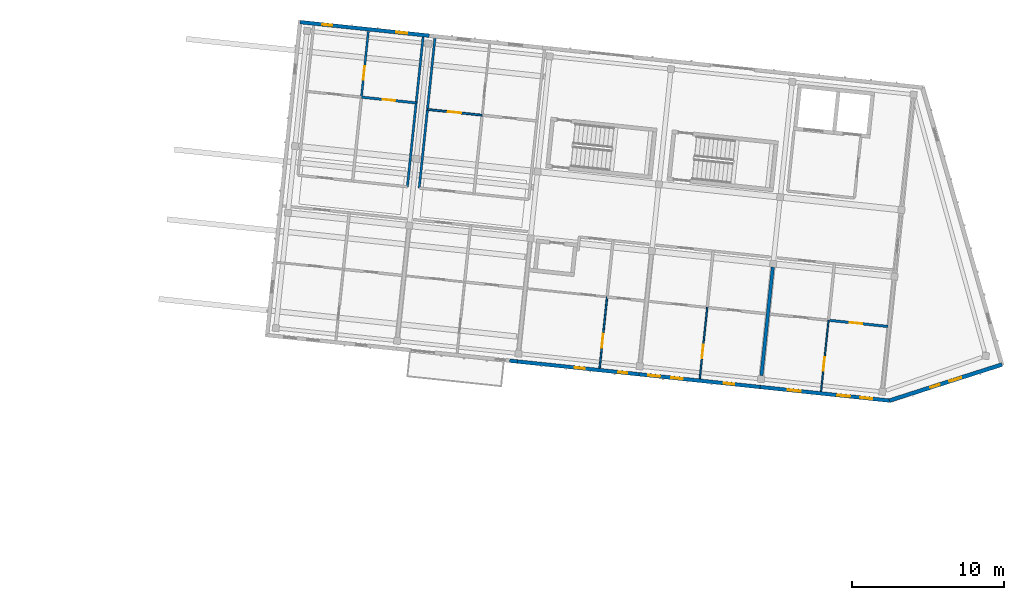
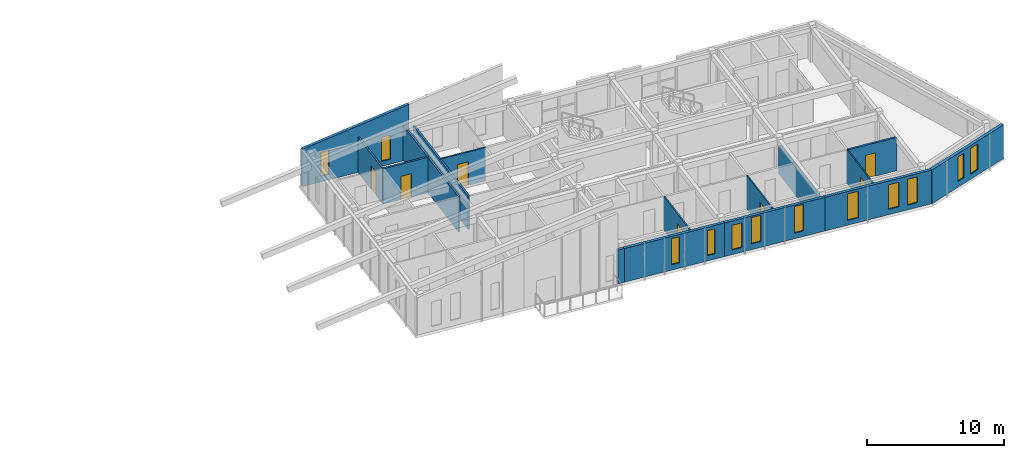
# One storey, part 17 of 34: 16 walls, 12 windows, 7 doors, 19 openings.
"""IFC4 building model written with IfcOpenShell, lengths in metres."""

from ifc_helpers import new_model, si_unit, direction, frame, frame_2d, origin, place, context, subcontext, project, spatial, polyline, rectangle, outline, extrude, material, layer, layer_set, type_object, element, fill, save


model = new_model("IFC4")

# Units and contexts
model_context = context("Model", 3, precision=1e-05, world=origin(), true_north=direction((0.0, 1.0)))
body_context = subcontext(model_context, "Body", "Model", "MODEL_VIEW")
ifc_project = project(units=[si_unit("LENGTHUNIT", "METRE"), si_unit("AREAUNIT", "SQUARE_METRE"), si_unit("VOLUMEUNIT", "CUBIC_METRE"), si_unit("PLANEANGLEUNIT", "RADIAN"), si_unit("MASSUNIT", "GRAM", prefix="KILO")], contexts=[model_context])

# Site, building, storey
site_placement = place(None, origin())
site = spatial("IfcSite", under=ifc_project, at=site_placement, CompositionType="ELEMENT")
building_placement = place(site_placement, origin())
building = spatial("IfcBuilding", under=site, at=building_placement, Name="Kestramere Prow Commons", CompositionType="ELEMENT")
storey_placement = place(building_placement, frame((0.0, 0.0, 34.39990234375)))
storey = spatial("IfcBuildingStorey", under=building, at=storey_placement, Name="L10", CompositionType="ELEMENT", Elevation=34.39990234375)

# Wall, openings, windows
ifc_material_1 = material(Name="Weathered Zinc-Titanium Standing-Seam Cladding")
ifc_layer_1 = layer(ifc_material_1, 0.260009765625)
ifc_layer_set_1 = layer_set([ifc_layer_1], Name="Weathered Zinc-Titanium Standing-Seam Cladding")
wall_type_1 = type_object("IfcWallType", Name="EW-PROW-260", PredefinedType="SOLIDWALL", material=ifc_layer_set_1)
wall_1_placement = place(storey_placement, frame((165.587158203125, 91.57177734375, 0.0), z_axis=(0.0, 0.0, 1.0), x_axis=(-0.9522851043, -0.305209895201, 0.0)))
wall_1 = element("IfcWall", 1, at=wall_1_placement, inside=storey, type_object=wall_type_1, Name="Block B L10 PRW-S Facet Wall", PredefinedType="SOLIDWALL", context=body_context, shape_type="SweptSolid", body=[
    extrude(rectangle(XDim=7.752685546875, YDim=0.260009765625, at=frame_2d((3.87646484375, 0.0))), origin(), (0.0, 0.0, 1.0), 3.0),
])
opening_1_placement = place(wall_1_placement, frame((2.81005859375, 0.0, 0.449951171875)))
opening_1 = element("IfcOpeningElement", 2, at=opening_1_placement, cuts=wall_1, Name="Opening WN-12", PredefinedType="OPENING", context=body_context, shape_type="SweptSolid", body=[
    extrude(rectangle(XDim=0.800048828125, YDim=2.300048828125, at=frame_2d((0.39990234375, 1.14990234375))), frame((0.0, 0.14501953125, 0.0), z_axis=(0.0, -1.0, 0.0), x_axis=(1.0, 0.0, 0.0)), (0.0, 0.0, 1.0), 0.2900390625),
])
opening_2_placement = place(wall_1_placement, frame((4.302734375, 0.0, 0.52001953125)))
opening_2 = element("IfcOpeningElement", 3, at=opening_2_placement, cuts=wall_1, Name="Opening WN-04", PredefinedType="OPENING", context=body_context, shape_type="SweptSolid", body=[
    extrude(rectangle(XDim=0.639892578125, YDim=2.179931640625, at=frame_2d((0.31982421875, 1.08984375))), frame((0.0, 0.14501953125, 0.0), z_axis=(0.0, -1.0, 0.0), x_axis=(1.0, 0.0, 0.0)), (0.0, 0.0, 1.0), 0.2900390625),
])
ifc_material_2 = material(Name="Low-E Laminated Double Glazing", Category="glass")
window_type_1 = type_object("IfcWindowType", Name="WN-NAR-640A", PartitioningType="SINGLE_PANEL", PredefinedType="WINDOW", material=ifc_material_2)
window_1_placement = place(opening_2_placement, origin())
window_1 = element("IfcWindow", 4, at=window_1_placement, inside=storey, type_object=window_type_1, Name="WN-B-L10-PRW-S-1", OverallHeight=2.179931640625, OverallWidth=0.639892578125, PartitioningType="SINGLE_PANEL", PredefinedType="WINDOW", context=body_context, shape_type="SweptSolid", body=[
    extrude(rectangle(XDim=0.639892578125, YDim=2.179931640625, at=frame_2d((0.31982421875, 1.08984375))), frame((0.0, 0.030029296875, 0.0), z_axis=(0.0, -1.0, 0.0), x_axis=(1.0, 0.0, 0.0)), (0.0, 0.0, 1.0), 0.06005859375),
])
fill(opening_2, window_1)
window_type_2 = type_object("IfcWindowType", Name="WN-NAR-800A", PartitioningType="SINGLE_PANEL", PredefinedType="WINDOW", material=ifc_material_2)
window_2_placement = place(opening_1_placement, origin())
window_2 = element("IfcWindow", 5, at=window_2_placement, inside=storey, type_object=window_type_2, Name="WN-B-L10-PRW-S-0", OverallHeight=2.300048828125, OverallWidth=0.800048828125, PartitioningType="SINGLE_PANEL", PredefinedType="WINDOW", context=body_context, shape_type="SweptSolid", body=[
    extrude(rectangle(XDim=0.800048828125, YDim=2.300048828125, at=frame_2d((0.39990234375, 1.14990234375))), frame((0.0, 0.030029296875, 0.0), z_axis=(0.0, -1.0, 0.0), x_axis=(1.0, 0.0, 0.0)), (0.0, 0.0, 1.0), 0.06005859375),
])
fill(opening_1, window_2)

# Wall
ifc_material_3 = material(Name="Fluoropolymer Standing-Seam Zinc-Aluminium Cladding", Category="aluminium")
ifc_layer_2 = layer(ifc_material_3, 0.239990234375)
ifc_layer_set_2 = layer_set([ifc_layer_2], Name="Fluoropolymer Standing-Seam Zinc-Aluminium Cladding")
wall_type_2 = type_object("IfcWallType", Name="EW-SEAM-240", PredefinedType="SOLIDWALL", material=ifc_layer_set_2)
wall_2_placement = place(storey_placement, frame((133.813720703125, 91.769287109375, 0.0), z_axis=(0.0, 0.0, 1.0), x_axis=(-0.994561361015, 0.10415228839, 0.0)))
element("IfcWall", 6, at=wall_2_placement, inside=storey, type_object=wall_type_2, Name="Block B L10 South Step-Back Spandrel Wall 3", PredefinedType="SOLIDWALL", context=body_context, shape_type="SweptSolid", body=[
    extrude(rectangle(XDim=0.525146484375, YDim=0.239990234375, at=frame_2d((0.2626953125, 0.0))), origin(), (0.0, 0.0, 1.0), 3.0),
])

# Wall, openings, windows
wall_3_placement = place(storey_placement, frame((141.769775390625, 90.932861328125, 0.0), z_axis=(0.0, 0.0, 1.0), x_axis=(-0.994519156568, 0.104554517933, 0.0)))
wall_3 = element("IfcWall", 7, at=wall_3_placement, inside=storey, type_object=wall_type_2, Name="Block B L10 South Standing-Seam Wall 4", PredefinedType="SOLIDWALL", context=body_context, shape_type="SweptSolid", body=[
    extrude(rectangle(XDim=8.0, YDim=0.239990234375, at=frame_2d((4.0, 0.0))), origin(), (0.0, 0.0, 1.0), 3.0),
])
opening_3_placement = place(wall_3_placement, frame((0.760009765625, 0.0, 0.47998046875)))
opening_3 = element("IfcOpeningElement", 8, at=opening_3_placement, cuts=wall_3, Name="Opening WN-02", PredefinedType="OPENING", context=body_context, shape_type="SweptSolid", body=[
    extrude(rectangle(XDim=0.60009765625, YDim=2.219970703125, at=frame_2d((0.300048828125, 1.10986328125))), frame((0.0, 0.135009765625, 0.0), z_axis=(0.0, -1.0, 0.0), x_axis=(1.0, 0.0, 0.0)), (0.0, 0.0, 1.0), 0.27001953125),
])
opening_4_placement = place(wall_3_placement, frame((3.585205078125, 0.0, 0.47998046875)))
opening_4 = element("IfcOpeningElement", 9, at=opening_4_placement, cuts=wall_3, Name="Opening WN-05", PredefinedType="OPENING", context=body_context, shape_type="SweptSolid", body=[
    extrude(rectangle(XDim=0.659912109375, YDim=2.320068359375, at=frame_2d((0.330078125, 1.16015625))), frame((0.0, 0.135009765625, 0.0), z_axis=(0.0, -1.0, 0.0), x_axis=(1.0, 0.0, 0.0)), (0.0, 0.0, 1.0), 0.27001953125),
])
window_type_3 = type_object("IfcWindowType", Name="WN-NAR-600A", PartitioningType="SINGLE_PANEL", PredefinedType="WINDOW", material=ifc_material_2)
window_3_placement = place(opening_3_placement, origin())
window_3 = element("IfcWindow", 10, at=window_3_placement, inside=storey, type_object=window_type_3, Name="WN-B-L10-S-3-00", OverallHeight=2.219970703125, OverallWidth=0.60009765625, PartitioningType="SINGLE_PANEL", PredefinedType="WINDOW", context=body_context, shape_type="SweptSolid", body=[
    extrude(rectangle(XDim=0.60009765625, YDim=2.219970703125, at=frame_2d((0.300048828125, 1.10986328125))), frame((0.0, 0.030029296875, 0.0), z_axis=(0.0, -1.0, 0.0), x_axis=(1.0, 0.0, 0.0)), (0.0, 0.0, 1.0), 0.06005859375),
])
fill(opening_3, window_3)
window_type_4 = type_object("IfcWindowType", Name="WN-NAR-660A", PartitioningType="SINGLE_PANEL", PredefinedType="WINDOW", material=ifc_material_2)
window_4_placement = place(opening_4_placement, origin())
window_4 = element("IfcWindow", 11, at=window_4_placement, inside=storey, type_object=window_type_4, Name="WN-B-L10-S-3-10", OverallHeight=2.320068359375, OverallWidth=0.659912109375, PartitioningType="SINGLE_PANEL", PredefinedType="WINDOW", context=body_context, shape_type="SweptSolid", body=[
    extrude(rectangle(XDim=0.659912109375, YDim=2.320068359375, at=frame_2d((0.330078125, 1.16015625))), frame((0.0, 0.030029296875, 0.0), z_axis=(0.0, -1.0, 0.0), x_axis=(1.0, 0.0, 0.0)), (0.0, 0.0, 1.0), 0.06005859375),
])
fill(opening_4, window_4)

wall_4_placement = place(storey_placement, frame((149.72607421875, 90.0966796875, 0.0), z_axis=(0.0, 0.0, 1.0), x_axis=(-0.994522662826, 0.104521161134, 0.0)))
wall_4 = element("IfcWall", 12, at=wall_4_placement, inside=storey, type_object=wall_type_2, Name="Block B L10 South Standing-Seam Wall 5", PredefinedType="SOLIDWALL", context=body_context, shape_type="SweptSolid", body=[
    extrude(rectangle(XDim=8.0, YDim=0.239990234375, at=frame_2d((4.0, 0.0))), origin(), (0.0, 0.0, 1.0), 3.0),
])
opening_5_placement = place(wall_4_placement, frame((1.712890625, 0.0, 0.5)))
opening_5 = element("IfcOpeningElement", 13, at=opening_5_placement, cuts=wall_4, Name="Opening WN-07", PredefinedType="OPENING", context=body_context, shape_type="SweptSolid", body=[
    extrude(rectangle(XDim=0.699951171875, YDim=2.360107421875, at=frame_2d((0.35009765625, 1.18017578125))), frame((0.0, 0.135009765625, 0.0), z_axis=(0.0, -1.0, 0.0), x_axis=(1.0, 0.0, 0.0)), (0.0, 0.0, 1.0), 0.27001953125),
])
opening_6_placement = place(wall_4_placement, frame((5.10009765625, 0.0, 0.52001953125)))
opening_6 = element("IfcOpeningElement", 14, at=opening_6_placement, cuts=wall_4, Name="Opening WN-10", PredefinedType="OPENING", context=body_context, shape_type="SweptSolid", body=[
    extrude(rectangle(XDim=0.760009765625, YDim=2.340087890625, at=frame_2d((0.3798828125, 1.169921875))), frame((0.0, 0.135009765625, 0.0), z_axis=(0.0, -1.0, 0.0), x_axis=(1.0, 0.0, 0.0)), (0.0, 0.0, 1.0), 0.27001953125),
])
opening_7_placement = place(wall_4_placement, frame((6.610107421875, 0.0, 0.419921875)))
opening_7 = element("IfcOpeningElement", 15, at=opening_7_placement, cuts=wall_4, Name="Opening WN-11", PredefinedType="OPENING", context=body_context, shape_type="SweptSolid", body=[
    extrude(rectangle(XDim=0.780029296875, YDim=2.199951171875, at=frame_2d((0.39013671875, 1.10009765625))), frame((0.0, 0.135009765625, 0.0), z_axis=(0.0, -1.0, 0.0), x_axis=(1.0, 0.0, 0.0)), (0.0, 0.0, 1.0), 0.27001953125),
])
window_type_5 = type_object("IfcWindowType", Name="WN-NAR-700A", PartitioningType="SINGLE_PANEL", PredefinedType="WINDOW", material=ifc_material_2)
window_5_placement = place(opening_5_placement, origin())
window_5 = element("IfcWindow", 16, at=window_5_placement, inside=storey, type_object=window_type_5, Name="WN-B-L10-S-4-00", OverallHeight=2.360107421875, OverallWidth=0.699951171875, PartitioningType="SINGLE_PANEL", PredefinedType="WINDOW", context=body_context, shape_type="SweptSolid", body=[
    extrude(rectangle(XDim=0.699951171875, YDim=2.360107421875, at=frame_2d((0.35009765625, 1.18017578125))), frame((0.0, 0.030029296875, 0.0), z_axis=(0.0, -1.0, 0.0), x_axis=(1.0, 0.0, 0.0)), (0.0, 0.0, 1.0), 0.06005859375),
])
fill(opening_5, window_5)
window_type_6 = type_object("IfcWindowType", Name="WN-NAR-760A", PartitioningType="SINGLE_PANEL", PredefinedType="WINDOW", material=ifc_material_2)
window_6_placement = place(opening_6_placement, origin())
window_6 = element("IfcWindow", 17, at=window_6_placement, inside=storey, type_object=window_type_6, Name="WN-B-L10-S-4-10", OverallHeight=2.340087890625, OverallWidth=0.760009765625, PartitioningType="SINGLE_PANEL", PredefinedType="WINDOW", context=body_context, shape_type="SweptSolid", body=[
    extrude(rectangle(XDim=0.760009765625, YDim=2.340087890625, at=frame_2d((0.3798828125, 1.169921875))), frame((0.0, 0.030029296875, 0.0), z_axis=(0.0, -1.0, 0.0), x_axis=(1.0, 0.0, 0.0)), (0.0, 0.0, 1.0), 0.06005859375),
])
fill(opening_6, window_6)
window_type_7 = type_object("IfcWindowType", Name="WN-NAR-780A", PartitioningType="SINGLE_PANEL", PredefinedType="WINDOW", material=ifc_material_2)
window_7_placement = place(opening_7_placement, origin())
window_7 = element("IfcWindow", 18, at=window_7_placement, inside=storey, type_object=window_type_7, Name="WN-B-L10-S-4-11", OverallHeight=2.199951171875, OverallWidth=0.780029296875, PartitioningType="SINGLE_PANEL", PredefinedType="WINDOW", context=body_context, shape_type="SweptSolid", body=[
    extrude(rectangle(XDim=0.780029296875, YDim=2.199951171875, at=frame_2d((0.39013671875, 1.10009765625))), frame((0.0, 0.030029296875, 0.0), z_axis=(0.0, -1.0, 0.0), x_axis=(1.0, 0.0, 0.0)), (0.0, 0.0, 1.0), 0.06005859375),
])
fill(opening_7, window_7)

wall_5_placement = place(storey_placement, frame((158.204345703125, 89.20556640625, 0.0), z_axis=(0.0, 0.0, 1.0), x_axis=(-0.994521760736, 0.104529744196, 0.0)))
wall_5 = element("IfcWall", 19, at=wall_5_placement, inside=storey, type_object=wall_type_2, Name="Block B L10 South Standing-Seam Wall 6", PredefinedType="SOLIDWALL", context=body_context, shape_type="SweptSolid", body=[
    extrude(rectangle(XDim=8.52490234375, YDim=0.239990234375, at=frame_2d((4.262451171875, 0.0))), origin(), (0.0, 0.0, 1.0), 3.0),
])
opening_8_placement = place(wall_5_placement, frame((1.135009765625, 0.0, 0.419921875)))
opening_8 = element("IfcOpeningElement", 20, at=opening_8_placement, cuts=wall_5, Name="Opening WN-12", PredefinedType="OPENING", context=body_context, shape_type="SweptSolid", body=[
    extrude(rectangle(XDim=0.800048828125, YDim=2.300048828125, at=frame_2d((0.39990234375, 1.14990234375))), frame((0.0, 0.135009765625, 0.0), z_axis=(0.0, -1.0, 0.0), x_axis=(1.0, 0.0, 0.0)), (0.0, 0.0, 1.0), 0.27001953125),
])
opening_9_placement = place(wall_5_placement, frame((2.60498046875, 0.0, 0.47998046875)))
opening_9 = element("IfcOpeningElement", 21, at=opening_9_placement, cuts=wall_5, Name="Opening WN-13", PredefinedType="OPENING", context=body_context, shape_type="SweptSolid", body=[
    extrude(rectangle(XDim=0.820068359375, YDim=2.179931640625, at=frame_2d((0.41015625, 1.08984375))), frame((0.0, 0.135009765625, 0.0), z_axis=(0.0, -1.0, 0.0), x_axis=(1.0, 0.0, 0.0)), (0.0, 0.0, 1.0), 0.27001953125),
])
opening_10_placement = place(wall_5_placement, frame((5.843994140625, 0.0, 0.419921875)))
opening_10 = element("IfcOpeningElement", 22, at=opening_10_placement, cuts=wall_5, Name="Opening WN-15", PredefinedType="OPENING", context=body_context, shape_type="SweptSolid", body=[
    extrude(rectangle(XDim=0.860107421875, YDim=2.360107421875, at=frame_2d((0.43017578125, 1.18017578125))), frame((0.0, 0.135009765625, 0.0), z_axis=(0.0, -1.0, 0.0), x_axis=(1.0, 0.0, 0.0)), (0.0, 0.0, 1.0), 0.27001953125),
])
window_8_placement = place(opening_8_placement, origin())
window_8 = element("IfcWindow", 23, at=window_8_placement, inside=storey, type_object=window_type_2, Name="WN-B-L10-S-5-00", OverallHeight=2.300048828125, OverallWidth=0.800048828125, PartitioningType="SINGLE_PANEL", PredefinedType="WINDOW", context=body_context, shape_type="SweptSolid", body=[
    extrude(rectangle(XDim=0.800048828125, YDim=2.300048828125, at=frame_2d((0.39990234375, 1.14990234375))), frame((0.0, 0.030029296875, 0.0), z_axis=(0.0, -1.0, 0.0), x_axis=(1.0, 0.0, 0.0)), (0.0, 0.0, 1.0), 0.06005859375),
])
fill(opening_8, window_8)
window_type_8 = type_object("IfcWindowType", Name="WN-NAR-820A", PartitioningType="DOUBLE_PANEL_VERTICAL", PredefinedType="WINDOW", material=ifc_material_2)
window_9_placement = place(opening_9_placement, origin())
window_9 = element("IfcWindow", 24, at=window_9_placement, inside=storey, type_object=window_type_8, Name="WN-B-L10-S-5-01", OverallHeight=2.179931640625, OverallWidth=0.820068359375, PartitioningType="SINGLE_PANEL", PredefinedType="WINDOW", context=body_context, shape_type="SweptSolid", body=[
    extrude(rectangle(XDim=0.820068359375, YDim=2.179931640625, at=frame_2d((0.41015625, 1.08984375))), frame((0.0, 0.030029296875, 0.0), z_axis=(0.0, -1.0, 0.0), x_axis=(1.0, 0.0, 0.0)), (0.0, 0.0, 1.0), 0.06005859375),
])
fill(opening_9, window_9)
window_type_9 = type_object("IfcWindowType", Name="WN-NAR-860A", PartitioningType="DOUBLE_PANEL_VERTICAL", PredefinedType="WINDOW", material=ifc_material_2)
window_10_placement = place(opening_10_placement, origin())
window_10 = element("IfcWindow", 25, at=window_10_placement, inside=storey, type_object=window_type_9, Name="WN-B-L10-S-5-10", OverallHeight=2.360107421875, OverallWidth=0.860107421875, PartitioningType="SINGLE_PANEL", PredefinedType="WINDOW", context=body_context, shape_type="SweptSolid", body=[
    extrude(rectangle(XDim=0.860107421875, YDim=2.360107421875, at=frame_2d((0.43017578125, 1.18017578125))), frame((0.0, 0.030029296875, 0.0), z_axis=(0.0, -1.0, 0.0), x_axis=(1.0, 0.0, 0.0)), (0.0, 0.0, 1.0), 0.06005859375),
])
fill(opening_10, window_10)

wall_6_placement = place(storey_placement, frame((119.53759765625, 114.033447265625, 0.0), z_axis=(0.0, 0.0, 1.0), x_axis=(0.994521760736, -0.104529744196, 0.0)))
wall_6 = element("IfcWall", 26, at=wall_6_placement, inside=storey, type_object=wall_type_2, Name="Block B L10 North Standing-Seam Wall 2", PredefinedType="SOLIDWALL", context=body_context, shape_type="SweptSolid", body=[
    extrude(outline(polyline([(0.0, 0.0), (8.52490234375, 0.0), (8.52490234375, 4.900634765625), (0.0, 3.31884765625), (0.0, 0.0)])), frame((0.0, 0.1201171875, 0.0), z_axis=(0.0, -1.0, 0.0), x_axis=(1.0, 0.0, 0.0)), (0.0, 0.0, 1.0), 0.239990234375),
])
opening_11_placement = place(wall_6_placement, frame((1.485107421875, 0.0, 0.5)))
opening_11 = element("IfcOpeningElement", 27, at=opening_11_placement, cuts=wall_6, Name="Opening WN-04", PredefinedType="OPENING", context=body_context, shape_type="SweptSolid", body=[
    extrude(rectangle(XDim=0.639892578125, YDim=2.179931640625, at=frame_2d((0.31982421875, 1.08984375))), frame((0.0, 0.135009765625, 0.0), z_axis=(0.0, -1.0, 0.0), x_axis=(1.0, 0.0, 0.0)), (0.0, 0.0, 1.0), 0.27001953125),
])
opening_12_placement = place(wall_6_placement, frame((6.344970703125, 0.0, 0.43994140625)))
opening_12 = element("IfcOpeningElement", 28, at=opening_12_placement, cuts=wall_6, Name="Opening WN-08", PredefinedType="OPENING", context=body_context, shape_type="SweptSolid", body=[
    extrude(rectangle(XDim=0.719970703125, YDim=2.159912109375, at=frame_2d((0.35986328125, 1.080078125))), frame((0.0, 0.135009765625, 0.0), z_axis=(0.0, -1.0, 0.0), x_axis=(1.0, 0.0, 0.0)), (0.0, 0.0, 1.0), 0.27001953125),
])
window_11_placement = place(opening_11_placement, origin())
window_11 = element("IfcWindow", 29, at=window_11_placement, inside=storey, type_object=window_type_1, Name="WN-B-L10-N-1-0", OverallHeight=2.179931640625, OverallWidth=0.639892578125, PartitioningType="SINGLE_PANEL", PredefinedType="WINDOW", context=body_context, shape_type="SweptSolid", body=[
    extrude(rectangle(XDim=0.639892578125, YDim=2.179931640625, at=frame_2d((0.31982421875, 1.08984375))), frame((0.0, 0.030029296875, 0.0), z_axis=(0.0, -1.0, 0.0), x_axis=(1.0, 0.0, 0.0)), (0.0, 0.0, 1.0), 0.06005859375),
])
fill(opening_11, window_11)
window_type_10 = type_object("IfcWindowType", Name="WN-NAR-720A", PartitioningType="SINGLE_PANEL", PredefinedType="WINDOW", material=ifc_material_2)
window_12_placement = place(opening_12_placement, origin())
window_12 = element("IfcWindow", 30, at=window_12_placement, inside=storey, type_object=window_type_10, Name="WN-B-L10-N-1-1", OverallHeight=2.159912109375, OverallWidth=0.719970703125, PartitioningType="SINGLE_PANEL", PredefinedType="WINDOW", context=body_context, shape_type="SweptSolid", body=[
    extrude(rectangle(XDim=0.719970703125, YDim=2.159912109375, at=frame_2d((0.35986328125, 1.080078125))), frame((0.0, 0.030029296875, 0.0), z_axis=(0.0, -1.0, 0.0), x_axis=(1.0, 0.0, 0.0)), (0.0, 0.0, 1.0), 0.06005859375),
])
fill(opening_12, window_12)

# Wall, opening, door
ifc_material_4 = material(Name="Gypsum Acoustic Drywall")
ifc_layer_3 = layer(ifc_material_4, 0.10009765625)
ifc_layer_set_3 = layer_set([ifc_layer_3], Name="Gypsum Acoustic Drywall")
wall_type_3 = type_object("IfcWallType", Name="W-PART-100", PredefinedType="PARTITIONING", material=ifc_layer_set_3)
wall_7_placement = place(storey_placement, frame((145.761962890625, 90.649169921875, 0.0), z_axis=(0.0, 0.0, 1.0), x_axis=(0.104527618124, 0.994521984196, 0.0)))
wall_7 = element("IfcWall", 31, at=wall_7_placement, inside=storey, type_object=wall_type_3, Name="Interior Partition PW-B-L10-LB-S4", PredefinedType="PARTITIONING", context=body_context, shape_type="SweptSolid", body=[
    extrude(rectangle(XDim=4.68994140625, YDim=0.10009765625, at=frame_2d((2.344970703125, 0.0))), origin(), (0.0, 0.0, 1.0), 2.97021484375),
])
opening_13_placement = place(wall_7_placement, frame((1.35009765625, 0.0, 0.0)))
opening_13 = element("IfcOpeningElement", 32, at=opening_13_placement, cuts=wall_7, Name="Opening ID-10", PredefinedType="OPENING", context=body_context, shape_type="SweptSolid", body=[
    extrude(rectangle(XDim=0.8798828125, YDim=2.10009765625, at=frame_2d((0.43994140625, 1.050048828125))), frame((0.0, 0.06494140625, 0.0), z_axis=(0.0, -1.0, 0.0), x_axis=(1.0, 0.0, 0.0)), (0.0, 0.0, 1.0), 0.130126953125),
])
ifc_material_5 = material(Name="Engineered Timber Bedroom Door", Category="wood")
door_type_1 = type_object("IfcDoorType", Name="D-RM-03", OperationType="NOTDEFINED", PredefinedType="DOOR", material=ifc_material_5)
door_1_placement = place(opening_13_placement, origin())
door_1 = element("IfcDoor", 33, at=door_1_placement, inside=storey, type_object=door_type_1, Name="Interior Door DR-B-L10-BED-S4", OperationType="SINGLE_SWING_LEFT", OverallHeight=2.10009765625, OverallWidth=0.8798828125, PredefinedType="DOOR", context=body_context, shape_type="SweptSolid", body=[
    extrude(rectangle(XDim=0.8798828125, YDim=2.10009765625, at=frame_2d((0.43994140625, 1.050048828125))), frame((0.0, 0.02490234375, 0.0), z_axis=(0.0, -1.0, 0.0), x_axis=(1.0, 0.0, 0.0)), (0.0, 0.0, 1.0), 0.050048828125),
])
fill(opening_13, door_1)

ifc_layer_4 = layer(ifc_material_4, 0.110107421875)
ifc_layer_set_4 = layer_set([ifc_layer_4], Name="Gypsum Acoustic Drywall")
wall_type_4 = type_object("IfcWallType", Name="W-PART-110", PredefinedType="PARTITIONING", material=ifc_layer_set_4)
wall_8_placement = place(storey_placement, frame((139.193115234375, 91.339599609375, 0.0), z_axis=(0.0, 0.0, 1.0), x_axis=(0.104527618124, 0.994521984196, 0.0)))
wall_8 = element("IfcWall", 34, at=wall_8_placement, inside=storey, type_object=wall_type_4, Name="Interior Partition PW-B-L10-LB-S3", PredefinedType="PARTITIONING", context=body_context, shape_type="SweptSolid", body=[
    extrude(rectangle(XDim=4.68994140625, YDim=0.110107421875, at=frame_2d((2.344970703125, 0.0))), origin(), (0.0, 0.0, 1.0), 2.97021484375),
])
opening_14_placement = place(wall_8_placement, frame((1.35009765625, 0.0, 0.0)))
opening_14 = element("IfcOpeningElement", 35, at=opening_14_placement, cuts=wall_8, Name="Opening ID-08", PredefinedType="OPENING", context=body_context, shape_type="SweptSolid", body=[
    extrude(rectangle(XDim=0.89990234375, YDim=2.10009765625, at=frame_2d((0.449951171875, 1.050048828125))), frame((0.0, 0.070068359375, 0.0), z_axis=(0.0, -1.0, 0.0), x_axis=(1.0, 0.0, 0.0)), (0.0, 0.0, 1.0), 0.14013671875),
])
ifc_material_6 = material(Name="Engineered Timber Flush Door", Category="wood")
door_type_2 = type_object("IfcDoorType", Name="D-RM-01", OperationType="NOTDEFINED", PredefinedType="DOOR", material=ifc_material_6)
door_2_placement = place(opening_14_placement, origin())
door_2 = element("IfcDoor", 36, at=door_2_placement, inside=storey, type_object=door_type_2, Name="Interior Door DR-B-L10-BED-S3", OperationType="SINGLE_SWING_RIGHT", OverallHeight=2.10009765625, OverallWidth=0.89990234375, PredefinedType="DOOR", context=body_context, shape_type="SweptSolid", body=[
    extrude(rectangle(XDim=0.89990234375, YDim=2.10009765625, at=frame_2d((0.449951171875, 1.050048828125))), frame((0.0, 0.02490234375, 0.0), z_axis=(0.0, -1.0, 0.0), x_axis=(1.0, 0.0, 0.0)), (0.0, 0.0, 1.0), 0.050048828125),
])
fill(opening_14, door_2)

ifc_material_7 = material(Name="Lightweight Blockwork and Plaster", Category="masonry")
ifc_layer_5 = layer(ifc_material_7, 0.1298828125)
ifc_layer_set_5 = layer_set([ifc_layer_5], Name="Lightweight Blockwork and Plaster")
wall_type_5 = type_object("IfcWallType", Name="W-PART-130", PredefinedType="PARTITIONING", material=ifc_layer_set_5)
wall_9_placement = place(storey_placement, frame((127.8994140625, 108.302978515625, 0.0), z_axis=(0.0, 0.0, 1.0), x_axis=(0.994519525119, -0.104551012229, 0.0)))
wall_9 = element("IfcWall", 37, at=wall_9_placement, inside=storey, type_object=wall_type_5, Name="Interior Partition PW-B-L10-MIDN1-2", PredefinedType="PARTITIONING", context=body_context, shape_type="SweptSolid", body=[
    extrude(rectangle(XDim=3.610107421875, YDim=0.1298828125, at=frame_2d((1.80517578125, 0.0))), origin(), (0.0, 0.0, 1.0), 2.97021484375),
])
opening_15_placement = place(wall_9_placement, frame((1.35498046875, 0.0, 0.0)))
opening_15 = element("IfcOpeningElement", 38, at=opening_15_placement, cuts=wall_9, Name="Opening ID-10", PredefinedType="OPENING", context=body_context, shape_type="SweptSolid", body=[
    extrude(rectangle(XDim=0.8798828125, YDim=2.10009765625, at=frame_2d((0.43994140625, 1.050048828125))), frame((0.0, 0.079833984375, 0.0), z_axis=(0.0, -1.0, 0.0), x_axis=(1.0, 0.0, 0.0)), (0.0, 0.0, 1.0), 0.159912109375),
])
door_3_placement = place(opening_15_placement, origin())
door_3 = element("IfcDoor", 39, at=door_3_placement, inside=storey, type_object=door_type_1, Name="Interior Door DR-B-L10-KL-N2", OperationType="SINGLE_SWING_LEFT", OverallHeight=2.10009765625, OverallWidth=0.8798828125, PredefinedType="DOOR", context=body_context, shape_type="SweptSolid", body=[
    extrude(rectangle(XDim=0.8798828125, YDim=2.10009765625, at=frame_2d((0.43994140625, 1.050048828125))), frame((0.0, 0.02490234375, 0.0), z_axis=(0.0, -1.0, 0.0), x_axis=(1.0, 0.0, 0.0)), (0.0, 0.0, 1.0), 0.050048828125),
])
fill(opening_15, door_3)

ifc_material_8 = material(Name="Masonry Compartment Wall", Category="masonry")
ifc_layer_6 = layer(ifc_material_8, 0.139892578125)
ifc_layer_set_6 = layer_set([ifc_layer_6], Name="Masonry Compartment Wall")
wall_type_6 = type_object("IfcWallType", Name="W-PART-140", PredefinedType="PARTITIONING", material=ifc_layer_set_6)
wall_10_placement = place(storey_placement, frame((123.570068359375, 109.10986328125, 0.0), z_axis=(0.0, 0.0, 1.0), x_axis=(0.104514950243, 0.994523315552, 0.0)))
wall_10 = element("IfcWall", 40, at=wall_10_placement, inside=storey, type_object=wall_type_6, Name="Interior Partition PW-B-L10-LB-N1", PredefinedType="PARTITIONING", context=body_context, shape_type="SweptSolid", body=[
    extrude(rectangle(XDim=4.340087890625, YDim=0.139892578125, at=frame_2d((2.169921875, 0.0))), origin(), (0.0, 0.0, 1.0), 3.150146484375),
])
opening_16_placement = place(wall_10_placement, frame((1.14990234375, 0.0, 0.0)))
opening_16 = element("IfcOpeningElement", 41, at=opening_16_placement, cuts=wall_10, Name="Opening ID-08", PredefinedType="OPENING", context=body_context, shape_type="SweptSolid", body=[
    extrude(rectangle(XDim=0.89990234375, YDim=2.10009765625, at=frame_2d((0.449951171875, 1.050048828125))), frame((0.0, 0.0849609375, 0.0), z_axis=(0.0, -1.0, 0.0), x_axis=(1.0, 0.0, 0.0)), (0.0, 0.0, 1.0), 0.169921875),
])
door_4_placement = place(opening_16_placement, origin())
door_4 = element("IfcDoor", 42, at=door_4_placement, inside=storey, type_object=door_type_2, Name="Interior Door DR-B-L10-BED-N1", OperationType="SINGLE_SWING_LEFT", OverallHeight=2.10009765625, OverallWidth=0.89990234375, PredefinedType="DOOR", context=body_context, shape_type="SweptSolid", body=[
    extrude(rectangle(XDim=0.89990234375, YDim=2.10009765625, at=frame_2d((0.449951171875, 1.050048828125))), frame((0.0, 0.02490234375, 0.0), z_axis=(0.0, -1.0, 0.0), x_axis=(1.0, 0.0, 0.0)), (0.0, 0.0, 1.0), 0.050048828125),
])
fill(opening_16, door_4)

# Walls
ifc_layer_7 = layer(ifc_material_8, 0.14990234375)
ifc_layer_set_7 = layer_set([ifc_layer_7], Name="Masonry Compartment Wall")
wall_type_7 = type_object("IfcWallType", Name="W-PART-150", PredefinedType="PARTITIONING", material=ifc_layer_set_7)
wall_11_placement = place(storey_placement, frame((126.582275390625, 103.23291015625, 0.0), z_axis=(0.0, 0.0, 1.0), x_axis=(0.10453284543, 0.994521434775, 0.0)))
element("IfcWall", 43, at=wall_11_placement, inside=storey, type_object=wall_type_7, Name="Interior Partition PW-B-L10-NWR-1", PredefinedType="PARTITIONING", context=body_context, shape_type="SweptSolid", body=[
    extrude(rectangle(XDim=9.869873046875, YDim=0.14990234375, at=frame_2d((4.93505859375, 0.0))), origin(), (0.0, 0.0, 1.0), 3.150146484375),
])
wall_12_placement = place(storey_placement, frame((127.358154296875, 103.1513671875, 0.0), z_axis=(0.0, 0.0, 1.0), x_axis=(0.104508379977, 0.994524006002, 0.0)))
element("IfcWall", 44, at=wall_12_placement, inside=storey, type_object=wall_type_7, Name="Interior Partition PW-B-L10-NWL-2", PredefinedType="PARTITIONING", context=body_context, shape_type="SweptSolid", body=[
    extrude(rectangle(XDim=9.869873046875, YDim=0.14990234375, at=frame_2d((4.93505859375, 0.0))), origin(), (0.0, 0.0, 1.0), 2.97021484375),
])

# Wall, opening, door
ifc_layer_8 = layer(ifc_material_4, 0.094970703125)
ifc_layer_set_8 = layer_set([ifc_layer_8], Name="Gypsum Acoustic Drywall")
wall_type_8 = type_object("IfcWallType", Name="W-PART-95", PredefinedType="PARTITIONING", material=ifc_layer_set_8)
wall_13_placement = place(storey_placement, frame((153.71826171875, 89.81298828125, 0.0), z_axis=(0.0, 0.0, 1.0), x_axis=(0.104527618124, 0.994521984196, 0.0)))
wall_13 = element("IfcWall", 45, at=wall_13_placement, inside=storey, type_object=wall_type_8, Name="Interior Partition PW-B-L10-LB-S5", PredefinedType="PARTITIONING", context=body_context, shape_type="SweptSolid", body=[
    extrude(rectangle(XDim=4.68994140625, YDim=0.094970703125, at=frame_2d((2.344970703125, 0.0))), origin(), (0.0, 0.0, 1.0), 2.97021484375),
])
opening_17_placement = place(wall_13_placement, frame((1.35009765625, 0.0, 0.0)))
opening_17 = element("IfcOpeningElement", 46, at=opening_17_placement, cuts=wall_13, Name="Opening ID-08", PredefinedType="OPENING", context=body_context, shape_type="SweptSolid", body=[
    extrude(rectangle(XDim=0.89990234375, YDim=2.10009765625, at=frame_2d((0.449951171875, 1.050048828125))), frame((0.0, 0.0625, 0.0), z_axis=(0.0, -1.0, 0.0), x_axis=(1.0, 0.0, 0.0)), (0.0, 0.0, 1.0), 0.125),
])
door_5_placement = place(opening_17_placement, origin())
door_5 = element("IfcDoor", 47, at=door_5_placement, inside=storey, type_object=door_type_2, Name="Interior Door DR-B-L10-BED-S5", OperationType="SINGLE_SWING_RIGHT", OverallHeight=2.10009765625, OverallWidth=0.89990234375, PredefinedType="DOOR", context=body_context, shape_type="SweptSolid", body=[
    extrude(rectangle(XDim=0.89990234375, YDim=2.10009765625, at=frame_2d((0.449951171875, 1.050048828125))), frame((0.0, 0.02490234375, 0.0), z_axis=(0.0, -1.0, 0.0), x_axis=(1.0, 0.0, 0.0)), (0.0, 0.0, 1.0), 0.050048828125),
])
fill(opening_17, door_5)

ifc_material_9 = material(Name="Waterproof Sanitary Masonry Wall", Category="masonry")
ifc_layer_9 = layer(ifc_material_9, 0.1650390625)
ifc_layer_set_9 = layer_set([ifc_layer_9], Name="Waterproof Sanitary Masonry Wall")
wall_type_9 = type_object("IfcWallType", Name="W-PLUMB-150", PredefinedType="PLUMBINGWALL", material=ifc_layer_set_9)
wall_14_placement = place(storey_placement, frame((154.20849609375, 94.477294921875, 0.0), z_axis=(0.0, 0.0, 1.0), x_axis=(0.994521863919, -0.104528762491, 0.0)))
wall_14 = element("IfcWall", 48, at=wall_14_placement, inside=storey, type_object=wall_type_9, Name="Interior Partition PW-B-L10-MIDS2-5", PredefinedType="PLUMBINGWALL", context=body_context, shape_type="SweptSolid", body=[
    extrude(rectangle(XDim=3.909912109375, YDim=0.1650390625, at=frame_2d((1.955078125, 0.0))), origin(), (0.0, 0.0, 1.0), 2.97021484375),
])
opening_18_placement = place(wall_14_placement, frame((1.39990234375, 0.0, 0.0)))
opening_18 = element("IfcOpeningElement", 49, at=opening_18_placement, cuts=wall_14, Name="Opening ID-11", PredefinedType="OPENING", context=body_context, shape_type="SweptSolid", body=[
    extrude(rectangle(XDim=0.820068359375, YDim=2.080078125, at=frame_2d((0.41015625, 1.0400390625))), frame((0.0, 0.097412109375, 0.0), z_axis=(0.0, -1.0, 0.0), x_axis=(1.0, 0.0, 0.0)), (0.0, 0.0, 1.0), 0.195068359375),
])
ifc_material_10 = material(Name="Moisture-Resistant Timber Bathroom Door", Category="wood")
door_type_3 = type_object("IfcDoorType", Name="D-BT-01", OperationType="NOTDEFINED", PredefinedType="DOOR", material=ifc_material_10)
door_6_placement = place(opening_18_placement, origin())
door_6 = element("IfcDoor", 50, at=door_6_placement, inside=storey, type_object=door_type_3, Name="Interior Door DR-B-L10-BTH-S5", OperationType="SINGLE_SWING_LEFT", OverallHeight=2.080078125, OverallWidth=0.820068359375, PredefinedType="DOOR", context=body_context, shape_type="SweptSolid", body=[
    extrude(rectangle(XDim=0.820068359375, YDim=2.080078125, at=frame_2d((0.41015625, 1.0400390625))), frame((0.0, 0.02490234375, 0.0), z_axis=(0.0, -1.0, 0.0), x_axis=(1.0, 0.0, 0.0)), (0.0, 0.0, 1.0), 0.050048828125),
])
fill(opening_18, door_6)

wall_15_placement = place(storey_placement, frame((123.570068359375, 109.10986328125, 0.0), z_axis=(0.0, 0.0, 1.0), x_axis=(0.994526554618, -0.104484123955, 0.0)))
wall_15 = element("IfcWall", 51, at=wall_15_placement, inside=storey, type_object=wall_type_9, Name="Interior Partition PW-B-L10-MIDN2-1", PredefinedType="PLUMBINGWALL", context=body_context, shape_type="SweptSolid", body=[
    extrude(rectangle(XDim=3.610107421875, YDim=0.1650390625, at=frame_2d((1.80517578125, 0.0))), origin(), (0.0, 0.0, 1.0), 3.150146484375),
])
opening_19_placement = place(wall_15_placement, frame((1.39501953125, 0.0, 0.0)))
opening_19 = element("IfcOpeningElement", 52, at=opening_19_placement, cuts=wall_15, Name="Opening ID-11", PredefinedType="OPENING", context=body_context, shape_type="SweptSolid", body=[
    extrude(rectangle(XDim=0.820068359375, YDim=2.080078125, at=frame_2d((0.41015625, 1.0400390625))), frame((0.0, 0.097412109375, 0.0), z_axis=(0.0, -1.0, 0.0), x_axis=(1.0, 0.0, 0.0)), (0.0, 0.0, 1.0), 0.195068359375),
])
door_7_placement = place(opening_19_placement, origin())
door_7 = element("IfcDoor", 53, at=door_7_placement, inside=storey, type_object=door_type_3, Name="Interior Door DR-B-L10-BTH-N1", OperationType="SINGLE_SWING_RIGHT", OverallHeight=2.080078125, OverallWidth=0.820068359375, PredefinedType="DOOR", context=body_context, shape_type="SweptSolid", body=[
    extrude(rectangle(XDim=0.820068359375, YDim=2.080078125, at=frame_2d((0.41015625, 1.0400390625))), frame((0.0, 0.02490234375, 0.0), z_axis=(0.0, -1.0, 0.0), x_axis=(1.0, 0.0, 0.0)), (0.0, 0.0, 1.0), 0.050048828125),
])
fill(opening_19, door_7)

# Wall
ifc_material_11 = material(Name="Precast concrete C40/50", Category="concrete")
ifc_layer_10 = layer(ifc_material_11, 0.219970703125)
ifc_layer_set_10 = layer_set([ifc_layer_10], Name="Precast concrete C40/50")
wall_type_10 = type_object("IfcWallType", Name="W-XWALL-220", PredefinedType="SHEAR", material=ifc_layer_set_10)
wall_16_placement = place(storey_placement, frame((149.804443359375, 90.842529296875, 0.0), z_axis=(0.0, 0.0, 1.0), x_axis=(0.104519481265, 0.994522839374, 0.0)))
element("IfcWall", 54, at=wall_16_placement, inside=storey, type_object=wall_type_10, Name="Block B L10 Precast Cross-Wall 5", PredefinedType="SHEAR", context=body_context, shape_type="SweptSolid", body=[
    extrude(rectangle(XDim=7.14990234375, YDim=0.219970703125, at=frame_2d((3.574951171875, 0.0))), origin(), (0.0, 0.0, 1.0), 2.5),
])

save(model, "model.ifc")
